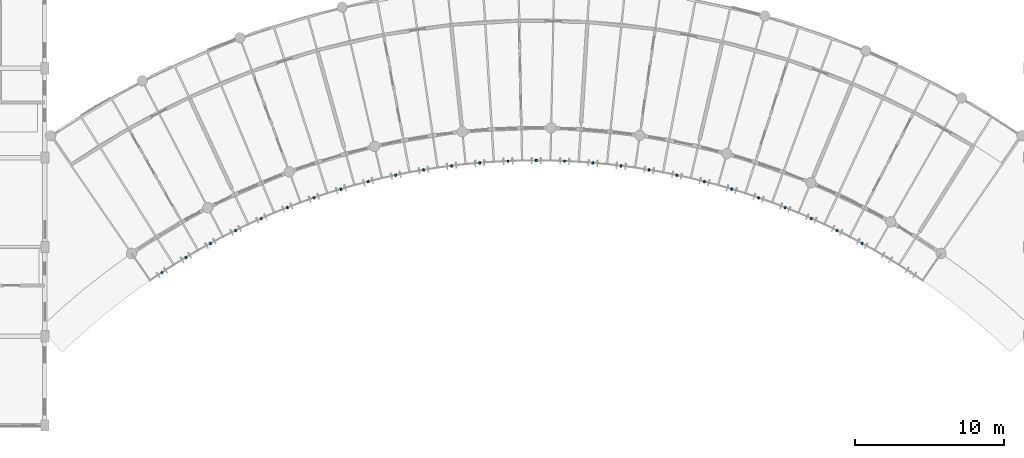
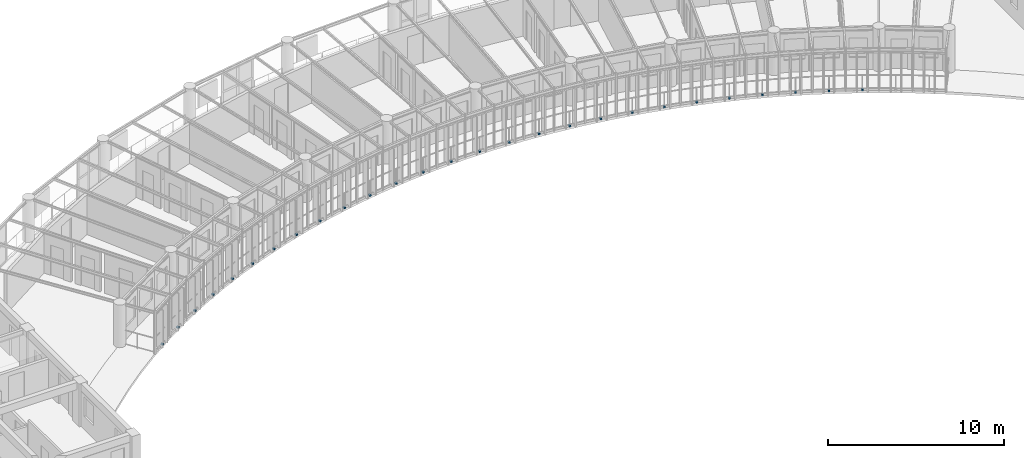
# One storey, part 86 of 100: 27 discrete accessories.
"""IFC4 building model written with IfcOpenShell, lengths in metres."""

from ifc_helpers import new_model, si_unit, direction, frame, origin, origin_2d, place, context, subcontext, project, spatial, rectangle, extrude, material, type_object, element, save


model = new_model("IFC4")

# Units and contexts
model_context = context("Model", 3, precision=1e-05, world=origin(), true_north=direction((0.0, 1.0)))
body_context = subcontext(model_context, "Body", "Model", "MODEL_VIEW")
ifc_project = project(units=[si_unit("LENGTHUNIT", "METRE"), si_unit("AREAUNIT", "SQUARE_METRE"), si_unit("VOLUMEUNIT", "CUBIC_METRE"), si_unit("PLANEANGLEUNIT", "RADIAN"), si_unit("MASSUNIT", "GRAM", prefix="KILO"), si_unit("POWERUNIT", "WATT"), si_unit("THERMODYNAMICTEMPERATUREUNIT", "KELVIN")], contexts=[model_context])

# Site, building, storey
site_placement = place(None, origin())
site = spatial("IfcSite", under=ifc_project, at=site_placement, CompositionType="ELEMENT")
building_placement = place(site_placement, origin())
building = spatial("IfcBuilding", under=site, at=building_placement, Name="Ruvembo Vaulted Housing Court", CompositionType="ELEMENT")
storey_placement = place(building_placement, frame((0.0, 0.0, 10.89990234375)))
storey = spatial("IfcBuildingStorey", under=building, at=storey_placement, Name="L03", CompositionType="ELEMENT", Elevation=10.89990234375)

# Discrete accessories
ifc_material = material(Name="Stainless Steel Grade 316", Category="steel")
discrete_accessory_type = type_object("IfcDiscreteAccessoryType", Name="ACC-BRACKET-SS", PredefinedType="BRACKET", material=ifc_material)
for number, where, z_axis, x_axis, name in (
    (1, (91.862060546875, 88.27294921875, 0.030029296875), (0.0, 0.0, 1.0), (0.548964466299, -0.835845688355, 0.0), "Stainless Louvre Rail Bracket #294"),
    (2, (93.471923828125, 89.283203125, 0.030029296875), (0.0, 0.0, 1.0), (0.513825768915, -0.857894561819, 0.0), "Stainless Louvre Rail Bracket #295"),
    (3, (95.122314453125, 90.2255859375, 0.030029296875), (0.0, 0.0, 1.0), (0.477787506376, -0.878475440038, 0.0), "Stainless Louvre Rail Bracket #296"),
    (4, (96.810546875, 91.098876953125, 0.030029296875), (0.0, 0.0, 1.0), (0.440910671447, -0.897550990086, 0.0), "Stainless Louvre Rail Bracket #297"),
    (5, (98.533447265625, 91.9013671875, 0.030029296875), (0.0, 0.0, 1.0), (0.403305746645, -0.915065284405, 0.0), "Stainless Louvre Rail Bracket #298"),
    (6, (100.288330078125, 92.631591796875, 0.030029296875), (0.0, 0.0, 1.0), (0.364958032896, -0.931023970811, 0.0), "Stainless Louvre Rail Bracket #299"),
    (7, (102.07177734375, 93.288330078125, 0.030029296875), (0.0, 0.0, 1.0), (0.326030183107, -0.945359360087, 0.0), "Stainless Louvre Rail Bracket #300"),
    (8, (103.881103515625, 93.87060546875, 0.030029296875), (0.0, 0.0, 1.0), (0.2864911095, -0.958082900472, 0.0), "Stainless Louvre Rail Bracket #301"),
    (9, (105.712890625, 94.377197265625, 0.030029296875), (0.0, 0.0, 1.0), (0.246491603437, -0.969144926951, 0.0), "Stainless Louvre Rail Bracket #302"),
    (10, (107.564208984375, 94.807373046875, 0.030029296875), (0.0, 0.0, 1.0), (0.206101715045, -0.978530573388, 0.0), "Stainless Louvre Rail Bracket #303"),
    (11, (109.431640625, 95.160400390625, 0.030029296875), (0.0, 0.0, 1.0), (0.165271382715, -0.986248128037, 0.0), "Stainless Louvre Rail Bracket #304"),
    (12, (111.3125, 95.435546875, 0.030029296875), (0.0, 0.0, 1.0), (0.12419031657, -0.992258416578, 0.0), "Stainless Louvre Rail Bracket #305"),
    (13, (113.202880859375, 95.63232421875, 0.030029296875), (0.0, 0.0, 1.0), (0.082895173943, -0.996558272324, 0.0), "Stainless Louvre Rail Bracket #306"),
    (14, (115.099853515625, 95.750732421875, 0.030029296875), (0.0, 0.0, 1.0), (0.041509453281, -0.999138111218, 0.0), "Stainless Louvre Rail Bracket #307"),
    (15, (117.0, 95.7900390625, 0.030029296875), (0.0, 0.0, 1.0), (0.0, -1.0, 0.0), "Stainless Louvre Rail Bracket #308"),
    (16, (118.900146484375, 95.750732421875, 0.030029296875), (0.0, 0.0, 1.0), (-0.041509453281, -0.999138111218, 0.0), "Stainless Louvre Rail Bracket #309"),
    (17, (120.797119140625, 95.63232421875, 0.030029296875), (0.0, 0.0, 1.0), (-0.082895173943, -0.996558272324, 0.0), "Stainless Louvre Rail Bracket #310"),
    (18, (122.6875, 95.435546875, 0.030029296875), (0.0, 0.0, 1.0), (-0.12419031657, -0.992258416578, 0.0), "Stainless Louvre Rail Bracket #311"),
    (19, (124.568359375, 95.160400390625, 0.030029296875), (0.0, 0.0, 1.0), (-0.165271382715, -0.986248128037, 0.0), "Stainless Louvre Rail Bracket #312"),
    (20, (126.435791015625, 94.807373046875, 0.030029296875), (0.0, 0.0, 1.0), (-0.206101715045, -0.978530573388, 0.0), "Stainless Louvre Rail Bracket #313"),
    (21, (128.287109375, 94.377197265625, 0.030029296875), (0.0, 0.0, 1.0), (-0.246491603437, -0.969144926951, 0.0), "Stainless Louvre Rail Bracket #314"),
    (22, (130.118896484375, 93.87060546875, 0.030029296875), (0.0, 0.0, 1.0), (-0.2864911095, -0.958082900472, 0.0), "Stainless Louvre Rail Bracket #315"),
    (23, (131.92822265625, 93.288330078125, 0.030029296875), (0.0, 0.0, 1.0), (-0.326030183107, -0.945359360087, 0.0), "Stainless Louvre Rail Bracket #316"),
    (24, (133.711669921875, 92.631591796875, 0.030029296875), (0.0, 0.0, 1.0), (-0.364958032896, -0.931023970811, 0.0), "Stainless Louvre Rail Bracket #317"),
    (25, (135.466552734375, 91.9013671875, 0.030029296875), (0.0, 0.0, 1.0), (-0.403305746645, -0.915065284405, 0.0), "Stainless Louvre Rail Bracket #318"),
    (26, (137.189453125, 91.098876953125, 0.030029296875), (0.0, 0.0, 1.0), (-0.440910671447, -0.897550990086, 0.0), "Stainless Louvre Rail Bracket #319"),
    (27, (138.877685546875, 90.2255859375, 0.030029296875), (0.0, 0.0, 1.0), (-0.477787506376, -0.878475440038, 0.0), "Stainless Louvre Rail Bracket #320"),
):
    element("IfcDiscreteAccessory", number, at=place(storey_placement, frame(where, z_axis=z_axis, x_axis=x_axis)), inside=storey, type_object=discrete_accessory_type, Name=name, PredefinedType="BRACKET", context=body_context, shape_type="SweptSolid", body=[
        extrude(rectangle(XDim=0.159912109375, YDim=0.1201171875, at=origin_2d()), origin(), (0.0, 0.0, 1.0), 0.10009765625),
    ])

save(model, "model.ifc")
